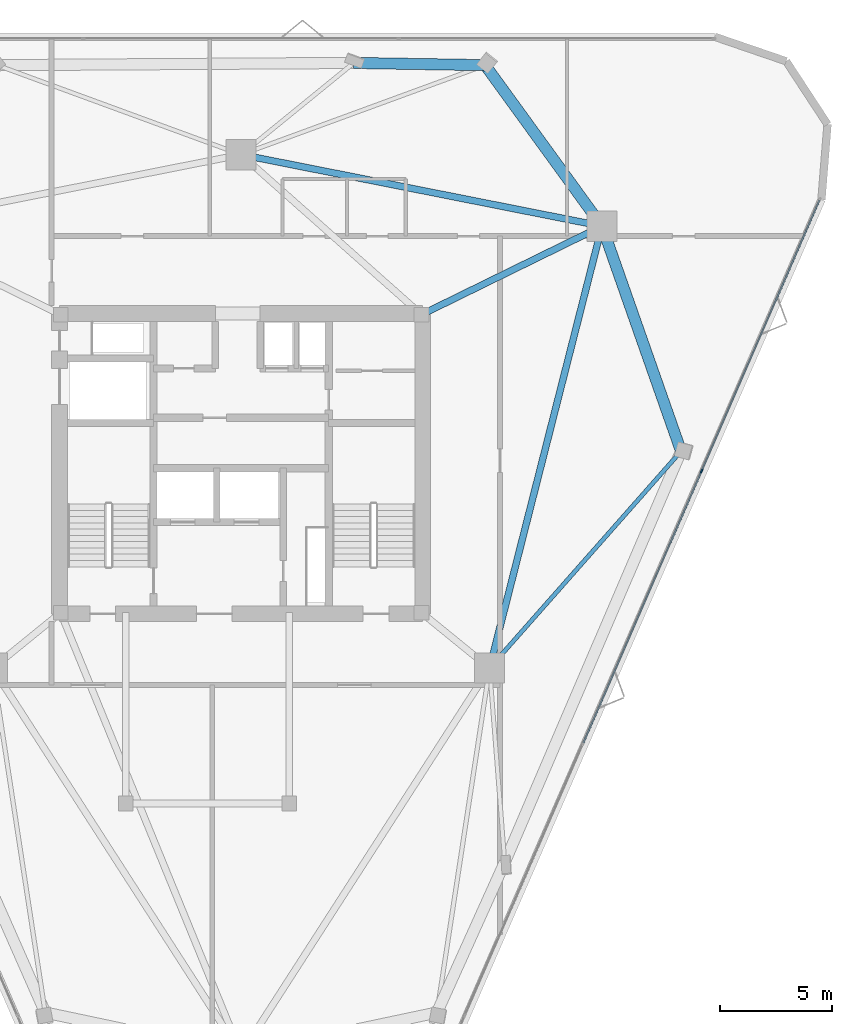
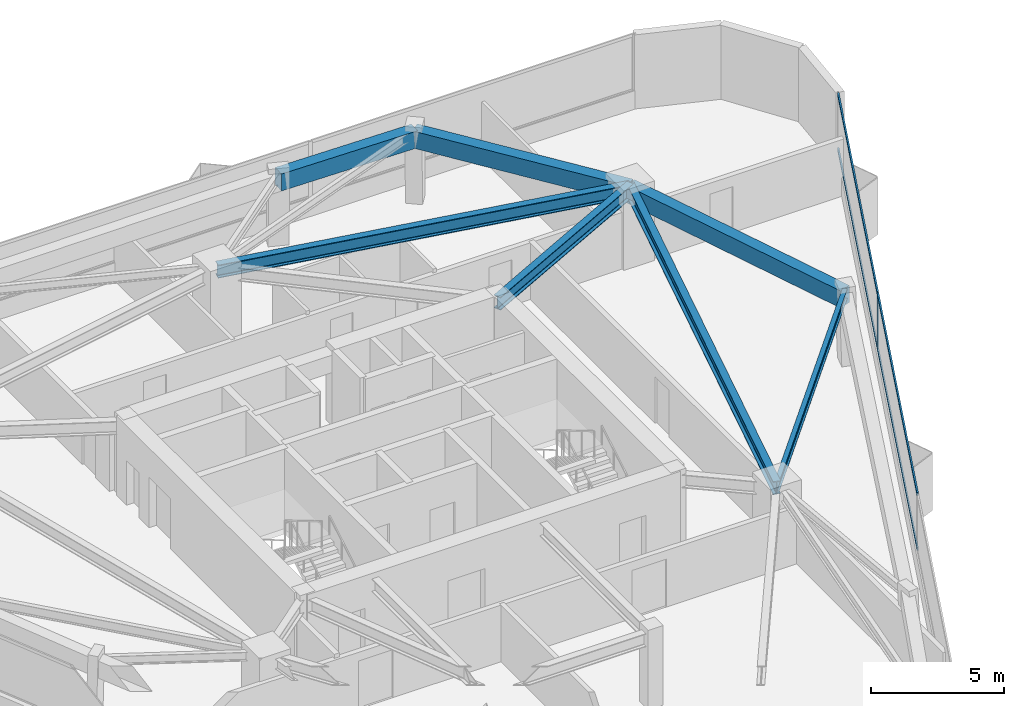
# One storey, part 7 of 12: 7 beams, 5 members, 1 element without a shape of its own.
"""IFC4 building model written with IfcOpenShell, lengths in metres."""

from ifc_helpers import new_model, si_unit, direction, frame, origin, origin_2d, place, context, subcontext, project, spatial, rectangle, i_section, extrude, material, layer, layer_set, material_profile, profile_set, type_object, element, aggregate, save


model = new_model("IFC4")

# Units and contexts
model_context = context("Model", 3, precision=1e-05, world=origin(), true_north=direction((0.0, 1.0)))
body_context = subcontext(model_context, "Body", "Model", "MODEL_VIEW")
ifc_project = project(units=[si_unit("LENGTHUNIT", "METRE"), si_unit("AREAUNIT", "SQUARE_METRE"), si_unit("VOLUMEUNIT", "CUBIC_METRE"), si_unit("PLANEANGLEUNIT", "RADIAN"), si_unit("MASSUNIT", "GRAM", prefix="KILO")], contexts=[model_context])

# Site, building, storey
site_placement = place(None, origin())
site = spatial("IfcSite", under=ifc_project, at=site_placement, CompositionType="ELEMENT")
building_placement = place(site_placement, origin())
building = spatial("IfcBuilding", under=site, at=building_placement, Name="Talyreon Biosciences Tower", CompositionType="ELEMENT")
storey_placement = place(building_placement, frame((0.0, 0.0, 194.0)))
storey = spatial("IfcBuildingStorey", under=building, at=storey_placement, Name="L51", CompositionType="ELEMENT", Elevation=194.0)

# Curtain wall, members
ifc_material_1 = material(Name="Thermally broken aluminium and low-E glazing", Category="aluminium")
ifc_layer = layer(ifc_material_1, 0.179931640625)
ifc_layer_set = layer_set([ifc_layer], Name="Thermally broken aluminium and low-E glazing")
curtain_wall_type = type_object("IfcCurtainWallType", Name="CurtainWall_Zone4Optical", PredefinedType="NOTDEFINED", material=ifc_layer_set)
curtain_wall_placement = place(storey_placement, origin())
curtain_wall = element("IfcCurtainWall", 1, at=curtain_wall_placement, inside=storey, type_object=curtain_wall_type, Name="L51 Unitised Curtain Wall FCW-L51-08", PredefinedType="NOTDEFINED")
ifc_material_2 = material(Name="Anodised thermally broken aluminium", Category="aluminium")
ifc_material_profile_1 = material_profile(ifc_material_2, rectangle(XDim=0.06494140625, YDim=0.179931640625, at=origin_2d()), Name="ALUM MULLION 65x180")
ifc_profile_set_1 = profile_set([ifc_material_profile_1], Name="Anodised thermally broken aluminium")
member_type_1 = type_object("IfcMemberType", Name="CWMullion_65x180", PredefinedType="MULLION", material=ifc_profile_set_1)
member_1_placement = place(storey_placement, frame((86.543212890625, 67.664794921875, 0.81005859375), z_axis=(0.0, 0.0, 1.0), x_axis=(0.917010897502, -0.398862148946, 0.0)))
member_1 = element("IfcMember", 2, at=member_1_placement, type_object=member_type_1, Name="CW5 mullion 2", PredefinedType="MULLION", context=body_context, shape_type="SweptSolid", body=[
    extrude(rectangle(XDim=0.06494140625, YDim=0.179931640625, at=origin_2d()), origin(), (0.0, 0.0, 1.0), 2.58984375),
])
ifc_material_profile_2 = material_profile(ifc_material_2, rectangle(XDim=0.06494140625, YDim=0.139892578125, at=origin_2d()), Name="ALUM TRANSOM 65x140")
ifc_profile_set_2 = profile_set([ifc_material_profile_2], Name="Anodised thermally broken aluminium")
member_type_2 = type_object("IfcMemberType", Name="CWTransom_65x140", PredefinedType="USERDEFINED", material=ifc_profile_set_2)
member_2_placement = place(storey_placement, frame((91.7998046875, 79.750244140625, 0.842529296875), z_axis=(-0.39885784292, -0.917012770435, 0.0), x_axis=(0.917012770435, -0.39885784292, 0.0)))
member_2 = element("IfcMember", 3, at=member_2_placement, type_object=member_type_2, Name="CW5 transom 1.1", ObjectType="TRANSOM", PredefinedType="USERDEFINED", context=body_context, shape_type="SweptSolid", body=[
    extrude(rectangle(XDim=0.06494140625, YDim=0.139892578125, at=origin_2d()), origin(), (0.0, 0.0, 1.0), 13.146728515625),
])
member_3_placement = place(storey_placement, frame((91.7998046875, 79.750244140625, 3.367431640625), z_axis=(-0.39885784292, -0.917012770435, 0.0), x_axis=(0.917012770435, -0.39885784292, 0.0)))
member_3 = element("IfcMember", 4, at=member_3_placement, type_object=member_type_2, Name="CW5 transom 1.2", ObjectType="TRANSOM", PredefinedType="USERDEFINED", context=body_context, shape_type="SweptSolid", body=[
    extrude(rectangle(XDim=0.06494140625, YDim=0.139892578125, at=origin_2d()), origin(), (0.0, 0.0, 1.0), 13.146728515625),
])
member_4_placement = place(storey_placement, frame((86.5302734375, 67.634765625, 0.842529296875), z_axis=(-0.398872418552, -0.917006430576, 0.0), x_axis=(0.917006430576, -0.398872418552, 0.0)))
member_4 = element("IfcMember", 5, at=member_4_placement, type_object=member_type_2, Name="CW5 transom 2.1", ObjectType="TRANSOM", PredefinedType="USERDEFINED", context=body_context, shape_type="SweptSolid", body=[
    extrude(rectangle(XDim=0.06494140625, YDim=0.139892578125, at=origin_2d()), origin(), (0.0, 0.0, 1.0), 13.17919921875),
])
member_5_placement = place(storey_placement, frame((86.5302734375, 67.634765625, 3.367431640625), z_axis=(-0.398872418552, -0.917006430576, 0.0), x_axis=(0.917006430576, -0.398872418552, 0.0)))
member_5 = element("IfcMember", 6, at=member_5_placement, type_object=member_type_2, Name="CW5 transom 2.2", ObjectType="TRANSOM", PredefinedType="USERDEFINED", context=body_context, shape_type="SweptSolid", body=[
    extrude(rectangle(XDim=0.06494140625, YDim=0.139892578125, at=origin_2d()), origin(), (0.0, 0.0, 1.0), 13.17919921875),
])
aggregate(curtain_wall, [member_1, member_2, member_3, member_4, member_5])

# Beams
ifc_material_3 = material(Name="Precast concrete C45/55", Category="concrete")
ifc_material_profile_3 = material_profile(ifc_material_3, rectangle(XDim=0.5, YDim=0.780029296875, at=origin_2d()), Name="RCB 500x780")
ifc_profile_set_3 = profile_set([ifc_material_profile_3], Name="Precast concrete C45/55")
beam_type_1 = type_object("IfcBeamType", Name="ExpressedSpandrel_500x780", PredefinedType="SPANDREL", material=ifc_profile_set_3)
beam_1_placement = place(storey_placement, frame((85.630126953125, 68.556640625, 3.010009765625), z_axis=(-0.331449574849, 0.943472935135, 0.0), x_axis=(-0.943472935135, -0.331449574849, 0.0)))
element("IfcBeam", 7, at=beam_1_placement, inside=storey, type_object=beam_type_1, Name="L51 Expressed Horizontal Concrete Spandrel 04", PredefinedType="SPANDREL", context=body_context, shape_type="SweptSolid", body=[
    extrude(rectangle(XDim=0.5, YDim=0.780029296875, at=origin_2d()), origin(), (0.0, 0.0, 1.0), 10.6435546875),
])
beam_2_placement = place(storey_placement, frame((82.102294921875, 78.5986328125, 3.010009765625), z_axis=(-0.587415634443, 0.809285408501, 0.0), x_axis=(-0.809285408501, -0.587415634443, 0.0)))
element("IfcBeam", 8, at=beam_2_placement, inside=storey, type_object=beam_type_1, Name="L51 Expressed Horizontal Concrete Spandrel 05", PredefinedType="SPANDREL", context=body_context, shape_type="SweptSolid", body=[
    extrude(rectangle(XDim=0.5, YDim=0.780029296875, at=origin_2d()), origin(), (0.0, 0.0, 1.0), 8.87353515625),
])
beam_3_placement = place(storey_placement, frame((76.889892578125, 85.77978515625, 3.010009765625), z_axis=(-0.999854330331, 0.017068043777, 0.0), x_axis=(-0.017068043777, -0.999854330331, 0.0)))
element("IfcBeam", 9, at=beam_3_placement, inside=storey, type_object=beam_type_1, Name="L51 Expressed Horizontal Concrete Spandrel 06", PredefinedType="SPANDREL", context=body_context, shape_type="SweptSolid", body=[
    extrude(rectangle(XDim=0.5, YDim=0.780029296875, at=origin_2d()), origin(), (0.0, 0.0, 1.0), 5.864501953125),
])
ifc_material_4 = material(Name="Steel SM355", Category="steel")
ifc_material_profile_4 = material_profile(ifc_material_4, i_section(OverallWidth=0.300048828125, OverallDepth=0.60009765625, WebThickness=0.015380859375, FlangeThickness=0.030029296875, FilletRadius=0.027099609375, at=origin_2d()), Name="HE600B")
ifc_profile_set_4 = profile_set([ifc_material_profile_4], Name="Steel SM355")
beam_type_2 = type_object("IfcBeamType", Name="SteelBeam_HE600B", PredefinedType="BEAM", material=ifc_profile_set_4)
beam_4_placement = place(storey_placement, frame((77.086181640625, 58.88037109375, 3.10009765625), z_axis=(0.246537082299, 0.969133358755, 0.0), x_axis=(-0.969133358755, 0.246537082299, 0.0)))
element("IfcBeam", 10, at=beam_4_placement, inside=storey, type_object=beam_type_2, Name="L51 Mega-Ring Girder 2", PredefinedType="BEAM", context=body_context, shape_type="SweptSolid", body=[
    extrude(i_section(OverallWidth=0.300048828125, OverallDepth=0.60009765625, WebThickness=0.015380859375, FlangeThickness=0.030029296875, FilletRadius=0.027099609375, at=origin_2d()), origin(), (0.0, 0.0, 1.0), 20.34619140625),
])
beam_5_placement = place(storey_placement, frame((82.102294921875, 78.5986328125, 3.10009765625), z_axis=(-0.980933730698, 0.194342522311, 0.0), x_axis=(-0.194342522311, -0.980933730698, 0.0)))
element("IfcBeam", 11, at=beam_5_placement, inside=storey, type_object=beam_type_2, Name="L51 Mega-Ring Girder 3", PredefinedType="BEAM", context=body_context, shape_type="SweptSolid", body=[
    extrude(i_section(OverallWidth=0.300048828125, OverallDepth=0.60009765625, WebThickness=0.015380859375, FlangeThickness=0.030029296875, FilletRadius=0.027099609375, at=origin_2d()), origin(), (0.0, 0.0, 1.0), 16.415283203125),
])
beam_6_placement = place(storey_placement, frame((74.050048828125, 74.64990234375, 3.10009765625), z_axis=(0.897852360314, 0.440296648952, 0.0), x_axis=(-0.440296648952, 0.897852360314, 0.0)))
element("IfcBeam", 12, at=beam_6_placement, inside=storey, type_object=beam_type_2, Name="L51 Radial Primary Girder 3", PredefinedType="BEAM", context=body_context, shape_type="SweptSolid", body=[
    extrude(i_section(OverallWidth=0.300048828125, OverallDepth=0.60009765625, WebThickness=0.015380859375, FlangeThickness=0.030029296875, FilletRadius=0.027099609375, at=origin_2d()), origin(), (0.0, 0.0, 1.0), 8.96826171875),
])
ifc_material_profile_5 = material_profile(ifc_material_4, i_section(OverallWidth=0.18994140625, OverallDepth=0.449951171875, WebThickness=0.009521484375, FlangeThickness=0.0146484375, FilletRadius=0.02099609375, at=origin_2d()), Name="IPE450")
ifc_profile_set_5 = profile_set([ifc_material_profile_5], Name="Steel SM355")
beam_type_3 = type_object("IfcBeamType", Name="SteelJoist_IPE450", PredefinedType="JOIST", material=ifc_profile_set_5)
beam_7_placement = place(storey_placement, frame((77.086181640625, 58.88037109375, 3.175048828125), z_axis=(0.661885571064, 0.749604889803, 0.0), x_axis=(-0.749604889803, 0.661885571064, 0.0)))
element("IfcBeam", 13, at=beam_7_placement, inside=storey, type_object=beam_type_3, Name="L51 Radial Composite Floor Joist PC-SE2", PredefinedType="JOIST", context=body_context, shape_type="SweptSolid", body=[
    extrude(i_section(OverallWidth=0.18994140625, OverallDepth=0.449951171875, WebThickness=0.009521484375, FlangeThickness=0.0146484375, FilletRadius=0.02099609375, at=origin_2d()), origin(), (0.0, 0.0, 1.0), 12.908447265625),
])

save(model, "model.ifc")
